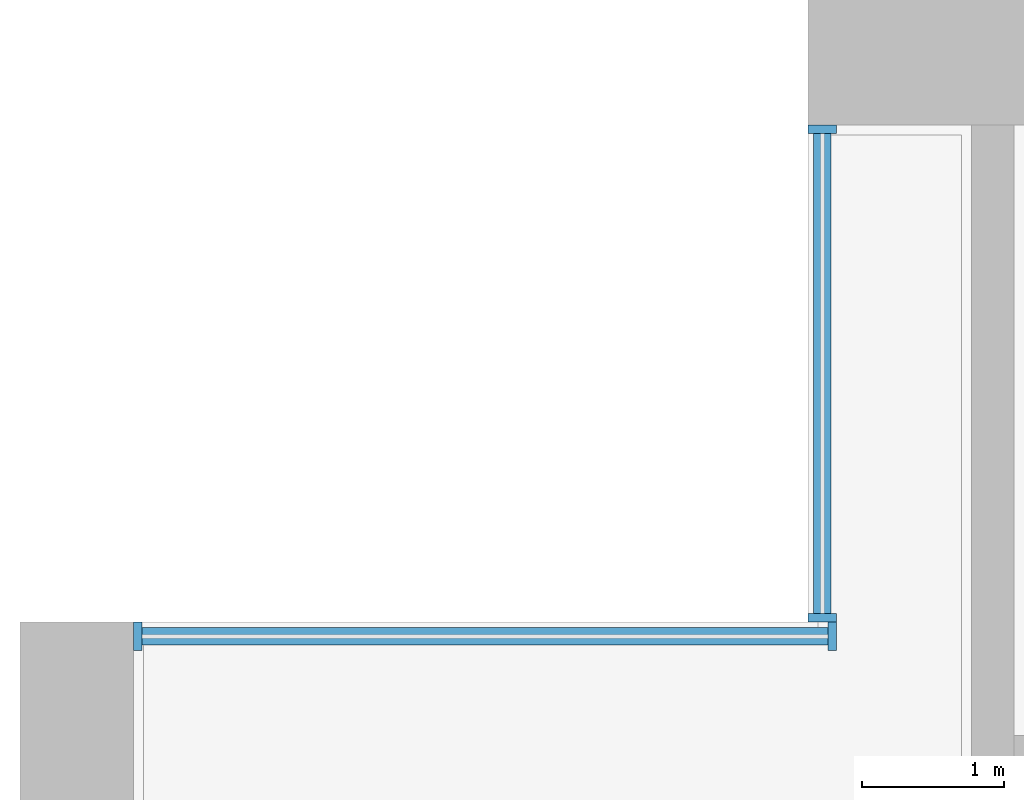
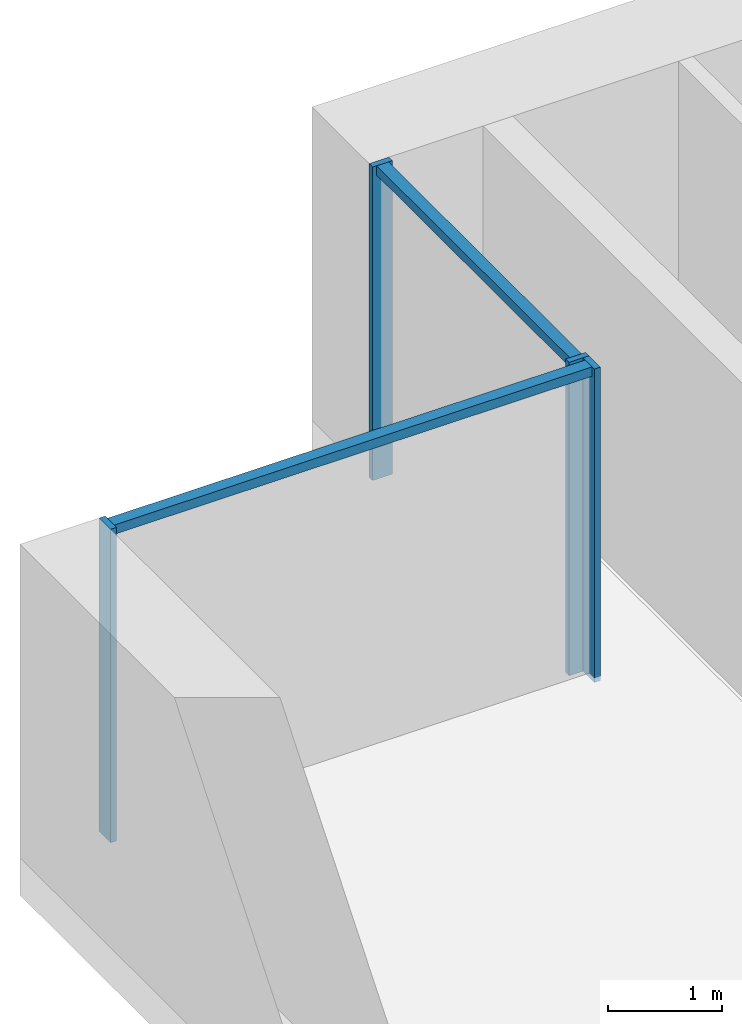
# One storey, part 4 of 18: 6 members, 2 elements without a shape of their own.
"""IFC4 building model written with IfcOpenShell, lengths in metres."""

import ifcopenshell
import ifcopenshell.guid

model = None  # the IFC model being written
_history = None  # IfcOwnerHistory: only IFC2X3 demands one
_inside = {}  # id of a spatial element -> (the spatial element, [elements in it])
_under = {}  # id of a project, library or spatial element -> (it, [spatial elements below it])
_declared = {}  # id of a project -> (the project, [libraries it declares])
_typed = {}  # id of a type object -> (the type object, [elements of that type])
_made_of = {}  # id of a material, layer set ... -> (it, [elements and type objects made of it])


def new_model(schema):
    """Start an empty IFC model of exactly this schema.

    Asked for "IFC4X3", IfcOpenShell would pick the latest addendum, in which some entities
    have other attributes; the version numbers below select the first issue.
    IFC2X3 requires an IfcOwnerHistory on every rooted entity: one is made here for all.
    """
    global model, _history
    if schema == "IFC4X3":
        model = ifcopenshell.file(schema_version=(4, 3, 0, 0))
    else:
        model = ifcopenshell.file(schema=schema)
    _inside.clear()
    _under.clear()
    _declared.clear()
    _typed.clear()
    _made_of.clear()
    _history = None
    if model.schema == "IFC2X3":
        org = make("IfcOrganization", Name="unknown")
        user = make(
            "IfcPersonAndOrganization",
            ThePerson=make("IfcPerson", FamilyName="unknown"),
            TheOrganization=org,
        )
        app = make(
            "IfcApplication",
            ApplicationDeveloper=org,
            Version="unknown",
            ApplicationFullName="unknown",
            ApplicationIdentifier="unknown",
        )
        _history = make(
            "IfcOwnerHistory",
            OwningUser=user,
            OwningApplication=app,
            ChangeAction="ADDED",
            CreationDate=0,
        )
    return model


def make(cls, **values):
    """One entity of the class cls with the attributes given. An attribute that is None is left unset."""
    return model.create_entity(
        cls, **{name: value for name, value in values.items() if value is not None}
    )


def rooted(cls, **values):
    """An entity with a GlobalId (a new one), such as an element, a storey or a relation."""
    return make(cls, GlobalId=ifcopenshell.guid.new(), OwnerHistory=_history, **values)


def si_unit(unit_type, name, prefix=None):
    """IfcSIUnit, for example si_unit("LENGTHUNIT", "METRE", prefix="MILLI")."""
    return make("IfcSIUnit", UnitType=unit_type, Prefix=prefix, Name=name)


def assignment(units):
    """IfcUnitAssignment: the units of a project."""
    return None if units is None else make("IfcUnitAssignment", Units=units)


def point(xyz):
    """IfcCartesianPoint."""
    return None if xyz is None else make("IfcCartesianPoint", Coordinates=xyz)


def direction(xyz):
    """IfcDirection."""
    return None if xyz is None else make("IfcDirection", DirectionRatios=xyz)


def frame(location, z_axis=None, x_axis=None):
    """IfcAxis2Placement3D, a coordinate frame: its origin and axes. An axis left out is left unset."""
    return make(
        "IfcAxis2Placement3D",
        Location=point(location),
        Axis=direction(z_axis),
        RefDirection=direction(x_axis),
    )


def frame_2d(location, x_axis=None):
    """IfcAxis2Placement2D, a coordinate frame in the plane: its origin and x axis."""
    return make(
        "IfcAxis2Placement2D", Location=point(location), RefDirection=direction(x_axis)
    )


def origin():
    """The frame at (0, 0, 0) with its axes left unset."""
    return frame((0.0, 0.0, 0.0))


def origin_2d():
    """The frame at (0, 0) in the plane with its x axis left unset."""
    return frame_2d((0.0, 0.0))


def place(relative_to, where):
    """IfcLocalPlacement: puts the frame where relative to a parent placement (None: the world)."""
    return make(
        "IfcLocalPlacement", PlacementRelTo=relative_to, RelativePlacement=where
    )


def context(
    kind, dimensions, precision=None, world=None, true_north=None, identifier=None
):
    """IfcGeometricRepresentationContext, for example the 3D "Model" context."""
    return make(
        "IfcGeometricRepresentationContext",
        ContextIdentifier=identifier,
        ContextType=kind,
        CoordinateSpaceDimension=dimensions,
        Precision=precision,
        WorldCoordinateSystem=world,
        TrueNorth=true_north,
    )


def subcontext(parent, identifier, kind, view, scale=None):
    """IfcGeometricRepresentationSubContext, for example "Body" below "Model"."""
    return make(
        "IfcGeometricRepresentationSubContext",
        ContextIdentifier=identifier,
        ContextType=kind,
        ParentContext=parent,
        TargetScale=scale,
        TargetView=view,
    )


def project(units=None, contexts=None):
    """IfcProject with its units and contexts."""
    return rooted(
        "IfcProject",
        Name="project",
        RepresentationContexts=contexts,
        UnitsInContext=assignment(units),
    )


def spatial(cls, under=None, at=None, **own):
    """A site, building, storey or space (cls), placed at a placement, below another one or the project."""
    s = rooted(cls, ObjectPlacement=at, **own)
    if under is not None:
        _under.setdefault(under.id(), (under, []))[1].append(s)
    return s


def profile(cls, at=None, kind="AREA", **sizes):
    """A parametric profile (cls). Its sizes go by their IFC names, for example OverallWidth=200.0."""
    return make(cls, ProfileType=kind, Position=at, **sizes)


def rectangle(**sizes):
    """IfcRectangleProfileDef."""
    return profile("IfcRectangleProfileDef", **sizes)


def extrude(swept, where, along, depth):
    """IfcExtrudedAreaSolid: the profile swept, set in the frame where, extruded along a direction by depth."""
    return make(
        "IfcExtrudedAreaSolid",
        SweptArea=swept,
        Position=where,
        ExtrudedDirection=direction(along),
        Depth=depth,
    )


def shape(context_of_items, identifier, shape_type, items):
    """IfcShapeRepresentation: the items that make up one representation, for example the "Body"."""
    return make(
        "IfcShapeRepresentation",
        ContextOfItems=context_of_items,
        RepresentationIdentifier=identifier,
        RepresentationType=shape_type,
        Items=items,
    )


def material(Name=None, Category=None):
    """IfcMaterial."""
    return make("IfcMaterial", Name=Name, Category=Category)


def material_profile(
    of_material, cross_section, Name=None, Category=None, Priority=None
):
    """IfcMaterialProfile: a cross section and its material."""
    return make(
        "IfcMaterialProfile",
        Name=Name,
        Material=of_material,
        Profile=cross_section,
        Priority=Priority,
        Category=Category,
    )


def profile_set(profiles, Name=None, composite=None):
    """IfcMaterialProfileSet."""
    return make(
        "IfcMaterialProfileSet",
        Name=Name,
        MaterialProfiles=profiles,
        CompositeProfile=composite,
    )


def made_of(thing, what):
    """Note that an element or type object is made of a material, layer set ...; save() writes the relation."""
    if what is not None:
        _made_of.setdefault(what.id(), (what, []))[1].append(thing)
    return thing


def type_object(cls, material=None, **own):
    """A type object (cls), such as IfcWallType, which elements share."""
    return made_of(rooted(cls, **own), material)


def element(
    cls,
    number,
    at=None,
    inside=None,
    cuts=None,
    type_object=None,
    material=None,
    context=None,
    identifier="Body",
    shape_type=None,
    held_by="IfcProductDefinitionShape",
    body=None,
    shapes=None,
    **own,
):
    """One element of the class cls, such as IfcWall. Its Tag is "e" and its number.

    at: its placement. inside: the storey or other place that contains it. cuts: it is an
    opening in that element (IfcRelVoidsElement). A single representation is given by context,
    identifier, shape_type and body (its items); several are given by shapes. held_by: the class
    of the entity that holds the representations. save() writes the other relations.
    """
    e = rooted(cls, Tag="e%d" % number, ObjectPlacement=at, **own)
    if body is not None:
        shapes = [shape(context, identifier, shape_type, body)]
    if shapes is not None:
        e.Representation = make(held_by, Representations=shapes)
    if inside is not None:
        _inside.setdefault(inside.id(), (inside, []))[1].append(e)
    if cuts is not None:
        rooted(
            "IfcRelVoidsElement", RelatingBuildingElement=cuts, RelatedOpeningElement=e
        )
    if type_object is not None:
        _typed.setdefault(type_object.id(), (type_object, []))[1].append(e)
    return made_of(e, material)


def aggregate(whole, parts):
    """IfcRelAggregates: a whole, such as a stair, and the parts it consists of."""
    return rooted("IfcRelAggregates", RelatingObject=whole, RelatedObjects=parts)


def save(model, path):
    """Write the relations noted so far, then the file.

    IfcRelAggregates (storeys below a building ...), IfcRelContainedInSpatialStructure (elements
    in a storey), IfcRelDefinesByType, IfcRelAssociatesMaterial and IfcRelDeclares: one each for
    every whole, place, type object, material and project.
    """
    for whole, parts in _under.values():
        aggregate(whole, parts)
    for where, things in _inside.values():
        rooted(
            "IfcRelContainedInSpatialStructure",
            RelatedElements=things,
            RelatingStructure=where,
        )
    for kind, things in _typed.values():
        rooted("IfcRelDefinesByType", RelatedObjects=things, RelatingType=kind)
    for what, things in _made_of.values():
        rooted("IfcRelAssociatesMaterial", RelatedObjects=things, RelatingMaterial=what)
    for by, libraries in _declared.values():
        rooted("IfcRelDeclares", RelatingContext=by, RelatedDefinitions=libraries)
    model.write(path)


model = new_model("IFC4")

# Units and contexts
model_context = context("Model", 3, precision=1e-05, world=origin(), true_north=direction((0.0, 1.0)))
body_context = subcontext(model_context, "Body", "Model", "MODEL_VIEW")
ifc_project = project(units=[si_unit("LENGTHUNIT", "METRE"), si_unit("AREAUNIT", "SQUARE_METRE"), si_unit("VOLUMEUNIT", "CUBIC_METRE"), si_unit("PLANEANGLEUNIT", "RADIAN"), si_unit("MASSUNIT", "GRAM", prefix="KILO")], contexts=[model_context])

# Site, building, storey
site_placement = place(None, origin())
site = spatial("IfcSite", under=ifc_project, at=site_placement, CompositionType="ELEMENT")
building_placement = place(site_placement, origin())
building = spatial("IfcBuilding", under=site, at=building_placement, Name="Calvaro Tower", CompositionType="ELEMENT")
storey_placement = place(building_placement, frame((0.0, 0.0, 33.75)))
storey = spatial("IfcBuildingStorey", under=building, at=storey_placement, Name="L07", CompositionType="ELEMENT", Elevation=33.75)

# Curtain wall, members
ifc_material_1 = material(Name="Anodised aluminium", Category="aluminium")
curtain_wall_type = type_object("IfcCurtainWallType", Name="Office curtain wall, lower zone", PredefinedType="NOTDEFINED", material=ifc_material_1)
curtain_wall_1_placement = place(storey_placement, origin())
curtain_wall_1 = element("IfcCurtainWall", 1, at=curtain_wall_1_placement, inside=storey, type_object=curtain_wall_type, Name="CW1 corner curtain wall", PredefinedType="NOTDEFINED")
ifc_material_2 = material(Name="Anodised aluminium", Category="aluminium")
ifc_material_profile_1 = material_profile(ifc_material_2, rectangle(XDim=0.199951171875, YDim=0.06005859375, at=origin_2d()), Name="Mullion S1 60 x 200")
ifc_profile_set_1 = profile_set([ifc_material_profile_1], Name="Anodised aluminium")
member_type_1 = type_object("IfcMemberType", Name="Mullion S1 60 x 200", PredefinedType="MULLION", material=ifc_profile_set_1)
member_1_placement = place(storey_placement, frame((5.64990234375, 41.530029296875, 0.0), z_axis=(0.0, 0.0, 1.0), x_axis=(-1.0, 0.0, 0.0)))
member_1 = element("IfcMember", 2, at=member_1_placement, type_object=member_type_1, Name="CW1 mullion 1", PredefinedType="MULLION", context=body_context, shape_type="SweptSolid", body=[
    extrude(rectangle(XDim=0.199951171875, YDim=0.06005859375, at=origin_2d()), origin(), (0.0, 0.0, 1.0), 3.35009765625),
])
member_2_placement = place(storey_placement, frame((5.64990234375, 44.969970703125, 0.0), z_axis=(0.0, 0.0, 1.0), x_axis=(-1.0, 0.0, 0.0)))
member_2 = element("IfcMember", 3, at=member_2_placement, type_object=member_type_1, Name="CW1 mullion 2", PredefinedType="MULLION", context=body_context, shape_type="SweptSolid", body=[
    extrude(rectangle(XDim=0.199951171875, YDim=0.06005859375, at=origin_2d()), origin(), (0.0, 0.0, 1.0), 3.35009765625),
])

curtain_wall_2_placement = place(storey_placement, origin())
curtain_wall_2 = element("IfcCurtainWall", 4, at=curtain_wall_2_placement, inside=storey, type_object=curtain_wall_type, Name="CW1 corner curtain wall", PredefinedType="NOTDEFINED")
member_3_placement = place(storey_placement, frame((0.830078125, 41.39990234375, 0.0), z_axis=(0.0, 0.0, 1.0), x_axis=(0.0, 1.0, 0.0)))
member_3 = element("IfcMember", 5, at=member_3_placement, type_object=member_type_1, Name="CW1 mullion 1", PredefinedType="MULLION", context=body_context, shape_type="SweptSolid", body=[
    extrude(rectangle(XDim=0.199951171875, YDim=0.06005859375, at=origin_2d()), origin(), (0.0, 0.0, 1.0), 3.35009765625),
])
member_4_placement = place(storey_placement, frame((5.719970703125, 41.39990234375, 0.0), z_axis=(0.0, 0.0, 1.0), x_axis=(0.0, 1.0, 0.0)))
member_4 = element("IfcMember", 6, at=member_4_placement, type_object=member_type_1, Name="CW1 mullion 2", PredefinedType="MULLION", context=body_context, shape_type="SweptSolid", body=[
    extrude(rectangle(XDim=0.199951171875, YDim=0.06005859375, at=origin_2d()), origin(), (0.0, 0.0, 1.0), 3.35009765625),
])

# Member
ifc_material_3 = material(Name="Anodised aluminium", Category="aluminium")
ifc_material_profile_2 = material_profile(ifc_material_3, rectangle(XDim=0.1201171875, YDim=0.10009765625, at=origin_2d()), Name="Transom S1 100 x 120")
ifc_profile_set_2 = profile_set([ifc_material_profile_2], Name="Anodised aluminium")
member_type_2 = type_object("IfcMemberType", Name="Transom S1 100 x 120", PredefinedType="USERDEFINED", material=ifc_profile_set_2)
member_5_placement = place(storey_placement, frame((5.64990234375, 41.56005859375, 3.300048828125), z_axis=(0.0, 1.0, 0.0), x_axis=(-1.0, 0.0, 0.0)))
member_5 = element("IfcMember", 7, at=member_5_placement, type_object=member_type_2, Name="CW1 transom 1.1", ObjectType="TRANSOM", PredefinedType="USERDEFINED", context=body_context, shape_type="SweptSolid", body=[
    extrude(rectangle(XDim=0.1201171875, YDim=0.10009765625, at=origin_2d()), origin(), (0.0, 0.0, 1.0), 3.3798828125),
])

aggregate(curtain_wall_1, [member_1, member_2, member_5])

member_6_placement = place(storey_placement, frame((0.860107421875, 41.39990234375, 3.300048828125), z_axis=(1.0, 0.0, 0.0), x_axis=(0.0, 1.0, 0.0)))
member_6 = element("IfcMember", 8, at=member_6_placement, type_object=member_type_2, Name="CW1 transom 1.1", ObjectType="TRANSOM", PredefinedType="USERDEFINED", context=body_context, shape_type="SweptSolid", body=[
    extrude(rectangle(XDim=0.1201171875, YDim=0.10009765625, at=origin_2d()), origin(), (0.0, 0.0, 1.0), 4.829833984375),
])

aggregate(curtain_wall_2, [member_3, member_4, member_6])

save(model, "model.ifc")
